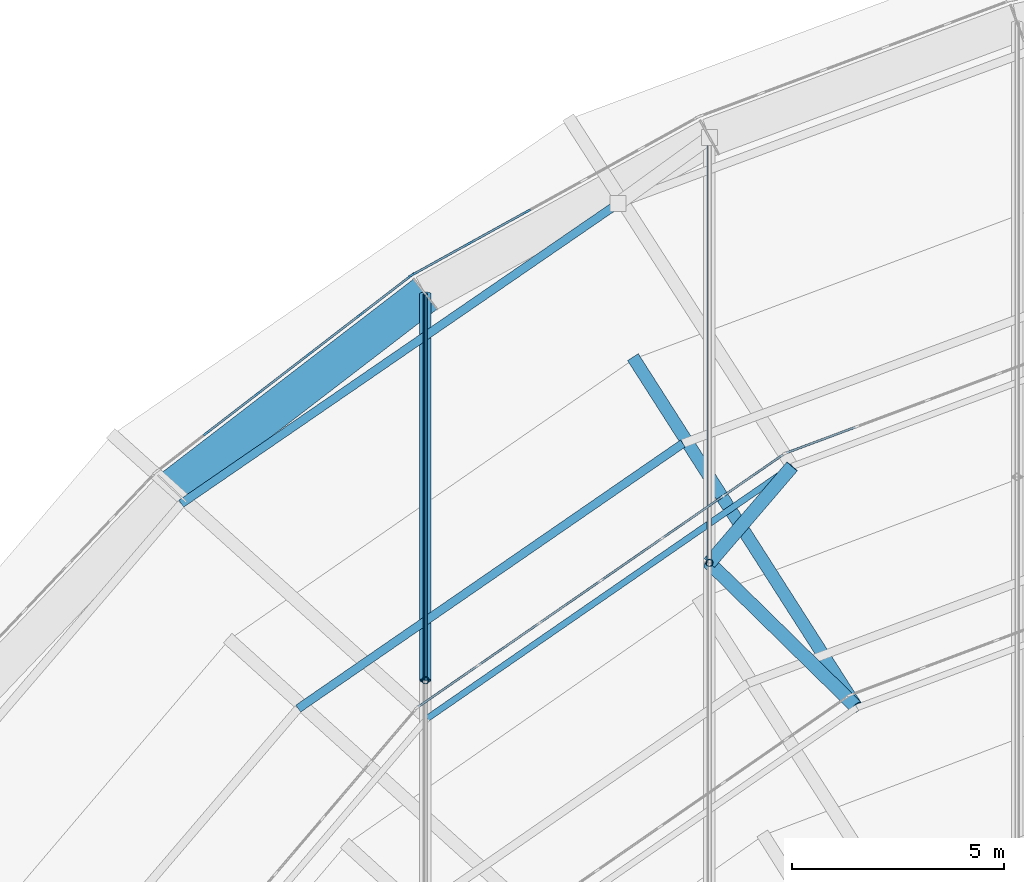
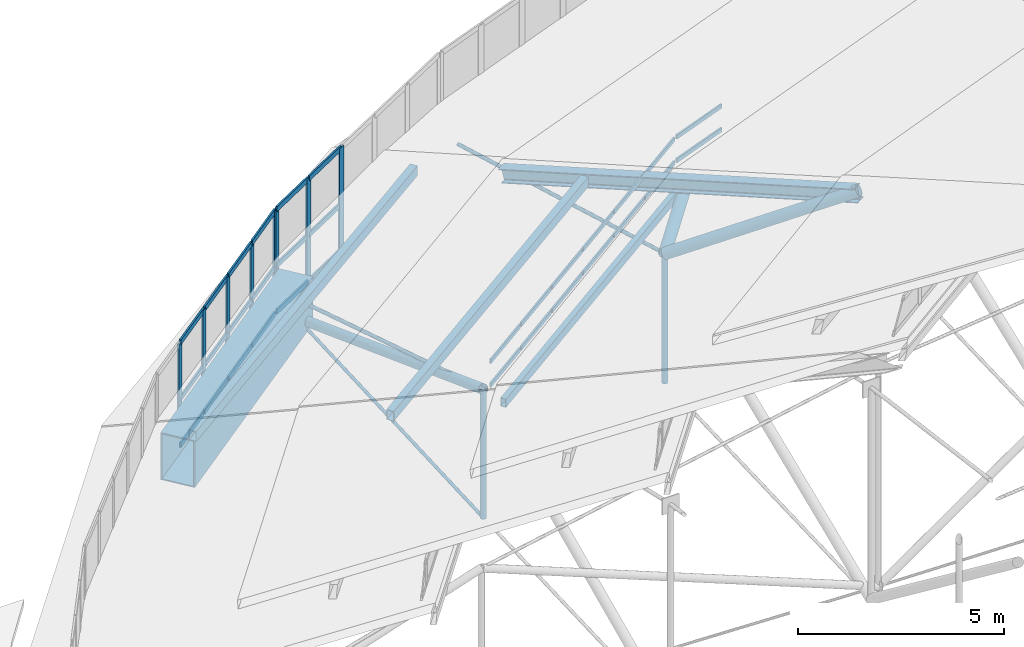
# One storey, part 105 of 173: 52 members, 1 beam, 4 elements without a shape of their own.
"""IFC4 building model written with IfcOpenShell, lengths in metres."""

from ifc_helpers import new_model, si_unit, direction, frame, origin, origin_2d, place, context, subcontext, project, spatial, rectangle, hollow_rectangle, circle, hollow_circle, i_section, extrude, material, material_profile, profile_set, type_object, element, aggregate, save


model = new_model("IFC4")

# Units and contexts
model_context = context("Model", 3, precision=1e-05, world=origin(), true_north=direction((0.0, 1.0)))
body_context = subcontext(model_context, "Body", "Model", "MODEL_VIEW")
ifc_project = project(units=[si_unit("LENGTHUNIT", "METRE"), si_unit("AREAUNIT", "SQUARE_METRE"), si_unit("VOLUMEUNIT", "CUBIC_METRE"), si_unit("PLANEANGLEUNIT", "RADIAN"), si_unit("MASSUNIT", "GRAM", prefix="KILO")], contexts=[model_context])

# Site, building, storey
site_placement = place(None, origin())
site = spatial("IfcSite", under=ifc_project, at=site_placement, CompositionType="ELEMENT")
building_placement = place(site_placement, origin())
building = spatial("IfcBuilding", under=site, at=building_placement, Name="Glasvene Arena", CompositionType="ELEMENT")
storey_placement = place(building_placement, frame((0.0, 0.0, 28.800048828125)))
storey = spatial("IfcBuildingStorey", under=building, at=storey_placement, Name="RF", CompositionType="ELEMENT", Elevation=28.800048828125)

# Beam
ifc_material_1 = material(Name="Steel S355J2", Category="steel")
ifc_material_profile_1 = material_profile(ifc_material_1, hollow_rectangle(XDim=0.89990234375, YDim=1.39990234375, WallThickness=0.034912109375, at=origin_2d()), Name="WBOX 900x1400x35")
ifc_profile_set_1 = profile_set([ifc_material_profile_1], Name="Steel S355J2")
beam_type = type_object("IfcBeamType", Name="BM-RING-BOX1400", PredefinedType="USERDEFINED", material=ifc_profile_set_1)
beam_placement = place(storey_placement, frame((62.610595703125, 109.40576171875, -0.699951171875), z_axis=(-0.792826575958, -0.609447307366, 0.0), x_axis=(0.609447307366, -0.792826575958, 0.0)))
element("IfcBeam", 1, at=beam_placement, inside=storey, type_object=beam_type, Name="Compression ring beam chord RB-15", ObjectType="RING BEAM", PredefinedType="USERDEFINED", context=body_context, shape_type="SweptSolid", body=[
    extrude(hollow_rectangle(XDim=0.89990234375, YDim=1.39990234375, WallThickness=0.034912109375, at=origin_2d()), origin(), (0.0, 0.0, 1.0), 7.524658203125),
])

# Curtain wall, members
ifc_material_2 = material(Name="Low-emissivity laminated double glazing", Category="glass")
curtain_wall_type_1 = type_object("IfcCurtainWallType", Name="CW-DRUM-773x310", PredefinedType="USERDEFINED", material=ifc_material_2)
curtain_wall_1_placement = place(storey_placement, frame((69.05078125, 113.585205078125, 0.0)))
curtain_wall_1 = element("IfcCurtainWall", 2, at=curtain_wall_1_placement, inside=storey, type_object=curtain_wall_type_1, Name="Crown compression-ring fascia curtain wall 14", ObjectType="CURTAIN WALL", PredefinedType="USERDEFINED")
ifc_material_3 = material(Name="Anodised architectural aluminium", Category="aluminium")
ifc_material_profile_2 = material_profile(ifc_material_3, rectangle(XDim=0.050048828125, YDim=0.199951171875, at=origin_2d()), Name="ALU MULLION 50x200")
ifc_profile_set_2 = profile_set([ifc_material_profile_2], Name="Anodised architectural aluminium")
member_type_1 = type_object("IfcMemberType", Name="CW-MUL-180", PredefinedType="MULLION", material=ifc_profile_set_2)
member_1_placement = place(storey_placement, frame((64.992919921875, 111.344482421875, -1.380126953125), z_axis=(0.0, 0.0, 1.0), x_axis=(0.483387319086, -0.875406591103, 0.0)))
member_1 = element("IfcMember", 3, at=member_1_placement, type_object=member_type_1, Name="CW-077 mullion 4", PredefinedType="MULLION", context=body_context, shape_type="SweptSolid", body=[
    extrude(rectangle(XDim=0.050048828125, YDim=0.199951171875, at=origin_2d()), origin(), (0.0, 0.0, 1.0), 3.10009765625),
])
member_2_placement = place(storey_placement, frame((63.64013671875, 110.59765625, -1.380126953125), z_axis=(0.0, 0.0, 1.0), x_axis=(0.483387319086, -0.875406591103, 0.0)))
member_2 = element("IfcMember", 4, at=member_2_placement, type_object=member_type_1, Name="CW-077 mullion 5", PredefinedType="MULLION", context=body_context, shape_type="SweptSolid", body=[
    extrude(rectangle(XDim=0.050048828125, YDim=0.199951171875, at=origin_2d()), origin(), (0.0, 0.0, 1.0), 3.10009765625),
])
member_3_placement = place(storey_placement, frame((62.309326171875, 109.86279296875, -1.380126953125), z_axis=(0.0, 0.0, 1.0), x_axis=(0.483387319086, -0.875406591103, 0.0)))
member_3 = element("IfcMember", 5, at=member_3_placement, type_object=member_type_1, Name="CW-077 mullion 6", PredefinedType="MULLION", context=body_context, shape_type="SweptSolid", body=[
    extrude(rectangle(XDim=0.050048828125, YDim=0.199951171875, at=origin_2d()), origin(), (0.0, 0.0, 1.0), 3.10009765625),
])

curtain_wall_type_2 = type_object("IfcCurtainWallType", Name="CW-DRUM-761x310", PredefinedType="USERDEFINED", material=ifc_material_2)
curtain_wall_2_placement = place(storey_placement, frame((62.28759765625, 109.8505859375, 0.0)))
curtain_wall_2 = element("IfcCurtainWall", 6, at=curtain_wall_2_placement, inside=storey, type_object=curtain_wall_type_2, Name="Crown compression-ring fascia curtain wall 15", ObjectType="CURTAIN WALL", PredefinedType="USERDEFINED")
member_4_placement = place(storey_placement, frame((62.267578125, 109.83544921875, -1.380126953125), z_axis=(0.0, 0.0, 1.0), x_axis=(0.609894880488, -0.792482324569, 0.0)))
member_4 = element("IfcMember", 7, at=member_4_placement, type_object=member_type_1, Name="CW-076 mullion 1", PredefinedType="MULLION", context=body_context, shape_type="SweptSolid", body=[
    extrude(rectangle(XDim=0.050048828125, YDim=0.199951171875, at=origin_2d()), origin(), (0.0, 0.0, 1.0), 3.10009765625),
])
member_5_placement = place(storey_placement, frame((61.0810546875, 108.92236328125, -1.380126953125), z_axis=(0.0, 0.0, 1.0), x_axis=(0.609894880488, -0.792482324569, 0.0)))
member_5 = element("IfcMember", 8, at=member_5_placement, type_object=member_type_1, Name="CW-076 mullion 2", PredefinedType="MULLION", context=body_context, shape_type="SweptSolid", body=[
    extrude(rectangle(XDim=0.050048828125, YDim=0.199951171875, at=origin_2d()), origin(), (0.0, 0.0, 1.0), 3.10009765625),
])
member_6_placement = place(storey_placement, frame((59.874755859375, 107.993896484375, -1.380126953125), z_axis=(0.0, 0.0, 1.0), x_axis=(0.609894880488, -0.792482324569, 0.0)))
member_6 = element("IfcMember", 9, at=member_6_placement, type_object=member_type_1, Name="CW-076 mullion 3", PredefinedType="MULLION", context=body_context, shape_type="SweptSolid", body=[
    extrude(rectangle(XDim=0.050048828125, YDim=0.199951171875, at=origin_2d()), origin(), (0.0, 0.0, 1.0), 3.10009765625),
])
member_7_placement = place(storey_placement, frame((58.66845703125, 107.0654296875, -1.380126953125), z_axis=(0.0, 0.0, 1.0), x_axis=(0.609894880488, -0.792482324569, 0.0)))
member_7 = element("IfcMember", 10, at=member_7_placement, type_object=member_type_1, Name="CW-076 mullion 4", PredefinedType="MULLION", context=body_context, shape_type="SweptSolid", body=[
    extrude(rectangle(XDim=0.050048828125, YDim=0.199951171875, at=origin_2d()), origin(), (0.0, 0.0, 1.0), 3.10009765625),
])
member_8_placement = place(storey_placement, frame((57.462158203125, 106.13720703125, -1.380126953125), z_axis=(0.0, 0.0, 1.0), x_axis=(0.609894880488, -0.792482324569, 0.0)))
member_8 = element("IfcMember", 11, at=member_8_placement, type_object=member_type_1, Name="CW-076 mullion 5", PredefinedType="MULLION", context=body_context, shape_type="SweptSolid", body=[
    extrude(rectangle(XDim=0.050048828125, YDim=0.199951171875, at=origin_2d()), origin(), (0.0, 0.0, 1.0), 3.10009765625),
])

curtain_wall_type_3 = type_object("IfcCurtainWallType", Name="CW-PET1-1077x75", PredefinedType="USERDEFINED", material=ifc_material_2)
curtain_wall_3_placement = place(storey_placement, frame((81.16845703125, 109.415283203125, 0.0)))
curtain_wall_3 = element("IfcCurtainWall", 12, at=curtain_wall_3_placement, inside=storey, type_object=curtain_wall_type_3, Name="Petal ring 1-2 clerestory curtain wall 08", ObjectType="CURTAIN WALL", PredefinedType="USERDEFINED")
ifc_material_profile_3 = material_profile(ifc_material_3, rectangle(XDim=0.050048828125, YDim=0.1201171875, at=origin_2d()), Name="ALU TRANSOM 50x120")
ifc_profile_set_3 = profile_set([ifc_material_profile_3], Name="Anodised architectural aluminium")
member_type_2 = type_object("IfcMemberType", Name="CW-TRN-120", PredefinedType="USERDEFINED", material=ifc_profile_set_3)
member_9_placement = place(storey_placement, frame((72.73388671875, 106.26806640625, 2.60498046875), z_axis=(-0.936940045398, -0.349490130519, 0.0), x_axis=(0.349490130519, -0.936940045398, 0.0)))
member_9 = element("IfcMember", 13, at=member_9_placement, type_object=member_type_2, Name="CW-085 transom 6.1", ObjectType="TRANSOM", PredefinedType="USERDEFINED", context=body_context, shape_type="SweptSolid", body=[
    extrude(rectangle(XDim=0.050048828125, YDim=0.1201171875, at=origin_2d()), origin(), (0.0, 0.0, 1.0), 1.720458984375),
])
member_10_placement = place(storey_placement, frame((72.73388671875, 106.26806640625, 3.304931640625), z_axis=(-0.936940045398, -0.349490130519, 0.0), x_axis=(0.349490130519, -0.936940045398, 0.0)))
member_10 = element("IfcMember", 14, at=member_10_placement, type_object=member_type_2, Name="CW-085 transom 6.2", ObjectType="TRANSOM", PredefinedType="USERDEFINED", context=body_context, shape_type="SweptSolid", body=[
    extrude(rectangle(XDim=0.050048828125, YDim=0.1201171875, at=origin_2d()), origin(), (0.0, 0.0, 1.0), 1.720458984375),
])
aggregate(curtain_wall_3, [member_9, member_10])

curtain_wall_type_4 = type_object("IfcCurtainWallType", Name="CW-PET1-1054x75", PredefinedType="USERDEFINED", material=ifc_material_2)
curtain_wall_4_placement = place(storey_placement, frame((71.074951171875, 105.649169921875, 0.0)))
curtain_wall_4 = element("IfcCurtainWall", 15, at=curtain_wall_4_placement, inside=storey, type_object=curtain_wall_type_4, Name="Petal ring 1-2 clerestory curtain wall 09", ObjectType="CURTAIN WALL", PredefinedType="USERDEFINED")
member_11_placement = place(storey_placement, frame((71.033935546875, 105.620849609375, 2.60498046875), z_axis=(-0.822594498335, -0.568628429917, 0.0), x_axis=(0.568628429917, -0.822594498335, 0.0)))
member_11 = element("IfcMember", 16, at=member_11_placement, type_object=member_type_2, Name="CW-084 transom 1.1", ObjectType="TRANSOM", PredefinedType="USERDEFINED", context=body_context, shape_type="SweptSolid", body=[
    extrude(rectangle(XDim=0.050048828125, YDim=0.1201171875, at=origin_2d()), origin(), (0.0, 0.0, 1.0), 1.681396484375),
])
member_12_placement = place(storey_placement, frame((71.033935546875, 105.620849609375, 3.304931640625), z_axis=(-0.822594498335, -0.568628429917, 0.0), x_axis=(0.568628429917, -0.822594498335, 0.0)))
member_12 = element("IfcMember", 17, at=member_12_placement, type_object=member_type_2, Name="CW-084 transom 1.2", ObjectType="TRANSOM", PredefinedType="USERDEFINED", context=body_context, shape_type="SweptSolid", body=[
    extrude(rectangle(XDim=0.050048828125, YDim=0.1201171875, at=origin_2d()), origin(), (0.0, 0.0, 1.0), 1.681396484375),
])
member_13_placement = place(storey_placement, frame((69.60986328125, 104.636474609375, 2.60498046875), z_axis=(-0.82255264471, -0.56868897183, 0.0), x_axis=(0.56868897183, -0.82255264471, 0.0)))
member_13 = element("IfcMember", 18, at=member_13_placement, type_object=member_type_2, Name="CW-084 transom 2.1", ObjectType="TRANSOM", PredefinedType="USERDEFINED", context=body_context, shape_type="SweptSolid", body=[
    extrude(rectangle(XDim=0.050048828125, YDim=0.1201171875, at=origin_2d()), origin(), (0.0, 0.0, 1.0), 1.7060546875),
])
member_14_placement = place(storey_placement, frame((69.60986328125, 104.636474609375, 3.304931640625), z_axis=(-0.82255264471, -0.56868897183, 0.0), x_axis=(0.56868897183, -0.82255264471, 0.0)))
member_14 = element("IfcMember", 19, at=member_14_placement, type_object=member_type_2, Name="CW-084 transom 2.2", ObjectType="TRANSOM", PredefinedType="USERDEFINED", context=body_context, shape_type="SweptSolid", body=[
    extrude(rectangle(XDim=0.050048828125, YDim=0.1201171875, at=origin_2d()), origin(), (0.0, 0.0, 1.0), 1.7060546875),
])
member_15_placement = place(storey_placement, frame((68.165283203125, 103.637939453125, 2.60498046875), z_axis=(-0.82255264471, -0.56868897183, 0.0), x_axis=(0.56868897183, -0.82255264471, 0.0)))
member_15 = element("IfcMember", 20, at=member_15_placement, type_object=member_type_2, Name="CW-084 transom 3.1", ObjectType="TRANSOM", PredefinedType="USERDEFINED", context=body_context, shape_type="SweptSolid", body=[
    extrude(rectangle(XDim=0.050048828125, YDim=0.1201171875, at=origin_2d()), origin(), (0.0, 0.0, 1.0), 1.7060546875),
])
member_16_placement = place(storey_placement, frame((68.165283203125, 103.637939453125, 3.304931640625), z_axis=(-0.82255264471, -0.56868897183, 0.0), x_axis=(0.56868897183, -0.82255264471, 0.0)))
member_16 = element("IfcMember", 21, at=member_16_placement, type_object=member_type_2, Name="CW-084 transom 3.2", ObjectType="TRANSOM", PredefinedType="USERDEFINED", context=body_context, shape_type="SweptSolid", body=[
    extrude(rectangle(XDim=0.050048828125, YDim=0.1201171875, at=origin_2d()), origin(), (0.0, 0.0, 1.0), 1.7060546875),
])
member_17_placement = place(storey_placement, frame((66.720703125, 102.639404296875, 2.60498046875), z_axis=(-0.82255264471, -0.56868897183, 0.0), x_axis=(0.56868897183, -0.82255264471, 0.0)))
member_17 = element("IfcMember", 22, at=member_17_placement, type_object=member_type_2, Name="CW-084 transom 4.1", ObjectType="TRANSOM", PredefinedType="USERDEFINED", context=body_context, shape_type="SweptSolid", body=[
    extrude(rectangle(XDim=0.050048828125, YDim=0.1201171875, at=origin_2d()), origin(), (0.0, 0.0, 1.0), 1.7060546875),
])
member_18_placement = place(storey_placement, frame((66.720703125, 102.639404296875, 3.304931640625), z_axis=(-0.82255264471, -0.56868897183, 0.0), x_axis=(0.56868897183, -0.82255264471, 0.0)))
member_18 = element("IfcMember", 23, at=member_18_placement, type_object=member_type_2, Name="CW-084 transom 4.2", ObjectType="TRANSOM", PredefinedType="USERDEFINED", context=body_context, shape_type="SweptSolid", body=[
    extrude(rectangle(XDim=0.050048828125, YDim=0.1201171875, at=origin_2d()), origin(), (0.0, 0.0, 1.0), 1.7060546875),
])
member_19_placement = place(storey_placement, frame((65.276123046875, 101.640869140625, 2.60498046875), z_axis=(-0.82255264471, -0.56868897183, 0.0), x_axis=(0.56868897183, -0.82255264471, 0.0)))
member_19 = element("IfcMember", 24, at=member_19_placement, type_object=member_type_2, Name="CW-084 transom 5.1", ObjectType="TRANSOM", PredefinedType="USERDEFINED", context=body_context, shape_type="SweptSolid", body=[
    extrude(rectangle(XDim=0.050048828125, YDim=0.1201171875, at=origin_2d()), origin(), (0.0, 0.0, 1.0), 1.7060546875),
])
member_20_placement = place(storey_placement, frame((65.276123046875, 101.640869140625, 3.304931640625), z_axis=(-0.82255264471, -0.56868897183, 0.0), x_axis=(0.56868897183, -0.82255264471, 0.0)))
member_20 = element("IfcMember", 25, at=member_20_placement, type_object=member_type_2, Name="CW-084 transom 5.2", ObjectType="TRANSOM", PredefinedType="USERDEFINED", context=body_context, shape_type="SweptSolid", body=[
    extrude(rectangle(XDim=0.050048828125, YDim=0.1201171875, at=origin_2d()), origin(), (0.0, 0.0, 1.0), 1.7060546875),
])
member_21_placement = place(storey_placement, frame((63.83154296875, 100.642333984375, 2.60498046875), z_axis=(-0.822547539118, -0.568696356495, 0.0), x_axis=(0.568696356495, -0.822547539118, 0.0)))
member_21 = element("IfcMember", 26, at=member_21_placement, type_object=member_type_2, Name="CW-084 transom 6.1", ObjectType="TRANSOM", PredefinedType="USERDEFINED", context=body_context, shape_type="SweptSolid", body=[
    extrude(rectangle(XDim=0.050048828125, YDim=0.1201171875, at=origin_2d()), origin(), (0.0, 0.0, 1.0), 1.68115234375),
])
member_22_placement = place(storey_placement, frame((63.83154296875, 100.642333984375, 3.304931640625), z_axis=(-0.822547539118, -0.568696356495, 0.0), x_axis=(0.568696356495, -0.822547539118, 0.0)))
member_22 = element("IfcMember", 27, at=member_22_placement, type_object=member_type_2, Name="CW-084 transom 6.2", ObjectType="TRANSOM", PredefinedType="USERDEFINED", context=body_context, shape_type="SweptSolid", body=[
    extrude(rectangle(XDim=0.050048828125, YDim=0.1201171875, at=origin_2d()), origin(), (0.0, 0.0, 1.0), 1.68115234375),
])
aggregate(curtain_wall_4, [member_11, member_12, member_13, member_14, member_15, member_16, member_17, member_18, member_19, member_20, member_21, member_22])

# Member
ifc_material_profile_4 = material_profile(ifc_material_3, rectangle(XDim=0.050048828125, YDim=0.14990234375, at=origin_2d()), Name="ALU TRANSOM 50x150")
ifc_profile_set_4 = profile_set([ifc_material_profile_4], Name="Anodised architectural aluminium")
member_type_3 = type_object("IfcMemberType", Name="CW-TRN-150", PredefinedType="USERDEFINED", material=ifc_profile_set_4)
member_23_placement = place(storey_placement, frame((64.970947265625, 111.33251953125, -1.35498046875), z_axis=(-0.87535611162, -0.483478725332, 0.0), x_axis=(0.483478725332, -0.87535611162, 0.0)))
member_23 = element("IfcMember", 28, at=member_23_placement, type_object=member_type_3, Name="CW-077 transom 4.1", ObjectType="TRANSOM", PredefinedType="USERDEFINED", context=body_context, shape_type="SweptSolid", body=[
    extrude(rectangle(XDim=0.050048828125, YDim=0.14990234375, at=origin_2d()), origin(), (0.0, 0.0, 1.0), 1.4951171875),
])

member_24_placement = place(storey_placement, frame((64.970947265625, 111.33251953125, 0.02001953125), z_axis=(-0.87535611162, -0.483478725332, 0.0), x_axis=(0.483478725332, -0.87535611162, 0.0)))
member_24 = element("IfcMember", 29, at=member_24_placement, type_object=member_type_3, Name="CW-077 transom 4.2", ObjectType="TRANSOM", PredefinedType="USERDEFINED", context=body_context, shape_type="SweptSolid", body=[
    extrude(rectangle(XDim=0.050048828125, YDim=0.14990234375, at=origin_2d()), origin(), (0.0, 0.0, 1.0), 1.4951171875),
])

member_25_placement = place(storey_placement, frame((64.970947265625, 111.33251953125, 1.695068359375), z_axis=(-0.87535611162, -0.483478725332, 0.0), x_axis=(0.483478725332, -0.87535611162, 0.0)))
member_25 = element("IfcMember", 30, at=member_25_placement, type_object=member_type_3, Name="CW-077 transom 4.3", ObjectType="TRANSOM", PredefinedType="USERDEFINED", context=body_context, shape_type="SweptSolid", body=[
    extrude(rectangle(XDim=0.050048828125, YDim=0.14990234375, at=origin_2d()), origin(), (0.0, 0.0, 1.0), 1.4951171875),
])

member_26_placement = place(storey_placement, frame((63.6181640625, 110.58544921875, -1.35498046875), z_axis=(-0.875376563169, -0.483441695197, 0.0), x_axis=(0.483441695197, -0.875376563169, 0.0)))
member_26 = element("IfcMember", 31, at=member_26_placement, type_object=member_type_3, Name="CW-077 transom 5.1", ObjectType="TRANSOM", PredefinedType="USERDEFINED", context=body_context, shape_type="SweptSolid", body=[
    extrude(rectangle(XDim=0.050048828125, YDim=0.14990234375, at=origin_2d()), origin(), (0.0, 0.0, 1.0), 1.469970703125),
])

member_27_placement = place(storey_placement, frame((63.6181640625, 110.58544921875, 0.02001953125), z_axis=(-0.875376563169, -0.483441695197, 0.0), x_axis=(0.483441695197, -0.875376563169, 0.0)))
member_27 = element("IfcMember", 32, at=member_27_placement, type_object=member_type_3, Name="CW-077 transom 5.2", ObjectType="TRANSOM", PredefinedType="USERDEFINED", context=body_context, shape_type="SweptSolid", body=[
    extrude(rectangle(XDim=0.050048828125, YDim=0.14990234375, at=origin_2d()), origin(), (0.0, 0.0, 1.0), 1.469970703125),
])

member_28_placement = place(storey_placement, frame((63.6181640625, 110.58544921875, 1.695068359375), z_axis=(-0.875376563169, -0.483441695197, 0.0), x_axis=(0.483441695197, -0.875376563169, 0.0)))
member_28 = element("IfcMember", 33, at=member_28_placement, type_object=member_type_3, Name="CW-077 transom 5.3", ObjectType="TRANSOM", PredefinedType="USERDEFINED", context=body_context, shape_type="SweptSolid", body=[
    extrude(rectangle(XDim=0.050048828125, YDim=0.14990234375, at=origin_2d()), origin(), (0.0, 0.0, 1.0), 1.469970703125),
])

aggregate(curtain_wall_1, [member_1, member_2, member_3, member_23, member_24, member_25, member_26, member_27, member_28])

member_29_placement = place(storey_placement, frame((62.247802734375, 109.8203125, -1.35498046875), z_axis=(-0.792385615775, -0.610020520895, 0.0), x_axis=(0.610020520895, -0.792385615775, 0.0)))
member_29 = element("IfcMember", 34, at=member_29_placement, type_object=member_type_3, Name="CW-076 transom 1.1", ObjectType="TRANSOM", PredefinedType="USERDEFINED", context=body_context, shape_type="SweptSolid", body=[
    extrude(rectangle(XDim=0.050048828125, YDim=0.14990234375, at=origin_2d()), origin(), (0.0, 0.0, 1.0), 1.447265625),
])

member_30_placement = place(storey_placement, frame((62.247802734375, 109.8203125, 0.02001953125), z_axis=(-0.792385615775, -0.610020520895, 0.0), x_axis=(0.610020520895, -0.792385615775, 0.0)))
member_30 = element("IfcMember", 35, at=member_30_placement, type_object=member_type_3, Name="CW-076 transom 1.2", ObjectType="TRANSOM", PredefinedType="USERDEFINED", context=body_context, shape_type="SweptSolid", body=[
    extrude(rectangle(XDim=0.050048828125, YDim=0.14990234375, at=origin_2d()), origin(), (0.0, 0.0, 1.0), 1.447265625),
])

member_31_placement = place(storey_placement, frame((62.247802734375, 109.8203125, 1.695068359375), z_axis=(-0.792385615775, -0.610020520895, 0.0), x_axis=(0.610020520895, -0.792385615775, 0.0)))
member_31 = element("IfcMember", 36, at=member_31_placement, type_object=member_type_3, Name="CW-076 transom 1.3", ObjectType="TRANSOM", PredefinedType="USERDEFINED", context=body_context, shape_type="SweptSolid", body=[
    extrude(rectangle(XDim=0.050048828125, YDim=0.14990234375, at=origin_2d()), origin(), (0.0, 0.0, 1.0), 1.447265625),
])

member_32_placement = place(storey_placement, frame((61.061279296875, 108.906982421875, -1.35498046875), z_axis=(-0.792476018124, -0.60990307484, 0.0), x_axis=(0.60990307484, -0.792476018124, 0.0)))
member_32 = element("IfcMember", 37, at=member_32_placement, type_object=member_type_3, Name="CW-076 transom 2.1", ObjectType="TRANSOM", PredefinedType="USERDEFINED", context=body_context, shape_type="SweptSolid", body=[
    extrude(rectangle(XDim=0.050048828125, YDim=0.14990234375, at=origin_2d()), origin(), (0.0, 0.0, 1.0), 1.47216796875),
])

member_33_placement = place(storey_placement, frame((61.061279296875, 108.906982421875, 0.02001953125), z_axis=(-0.792476018124, -0.60990307484, 0.0), x_axis=(0.60990307484, -0.792476018124, 0.0)))
member_33 = element("IfcMember", 38, at=member_33_placement, type_object=member_type_3, Name="CW-076 transom 2.2", ObjectType="TRANSOM", PredefinedType="USERDEFINED", context=body_context, shape_type="SweptSolid", body=[
    extrude(rectangle(XDim=0.050048828125, YDim=0.14990234375, at=origin_2d()), origin(), (0.0, 0.0, 1.0), 1.47216796875),
])

member_34_placement = place(storey_placement, frame((61.061279296875, 108.906982421875, 1.695068359375), z_axis=(-0.792476018124, -0.60990307484, 0.0), x_axis=(0.60990307484, -0.792476018124, 0.0)))
member_34 = element("IfcMember", 39, at=member_34_placement, type_object=member_type_3, Name="CW-076 transom 2.3", ObjectType="TRANSOM", PredefinedType="USERDEFINED", context=body_context, shape_type="SweptSolid", body=[
    extrude(rectangle(XDim=0.050048828125, YDim=0.14990234375, at=origin_2d()), origin(), (0.0, 0.0, 1.0), 1.47216796875),
])

member_35_placement = place(storey_placement, frame((59.85498046875, 107.978759765625, -1.35498046875), z_axis=(-0.792476018124, -0.60990307484, 0.0), x_axis=(0.60990307484, -0.792476018124, 0.0)))
member_35 = element("IfcMember", 40, at=member_35_placement, type_object=member_type_3, Name="CW-076 transom 3.1", ObjectType="TRANSOM", PredefinedType="USERDEFINED", context=body_context, shape_type="SweptSolid", body=[
    extrude(rectangle(XDim=0.050048828125, YDim=0.14990234375, at=origin_2d()), origin(), (0.0, 0.0, 1.0), 1.47216796875),
])

member_36_placement = place(storey_placement, frame((59.85498046875, 107.978759765625, 0.02001953125), z_axis=(-0.792476018124, -0.60990307484, 0.0), x_axis=(0.60990307484, -0.792476018124, 0.0)))
member_36 = element("IfcMember", 41, at=member_36_placement, type_object=member_type_3, Name="CW-076 transom 3.2", ObjectType="TRANSOM", PredefinedType="USERDEFINED", context=body_context, shape_type="SweptSolid", body=[
    extrude(rectangle(XDim=0.050048828125, YDim=0.14990234375, at=origin_2d()), origin(), (0.0, 0.0, 1.0), 1.47216796875),
])

member_37_placement = place(storey_placement, frame((59.85498046875, 107.978759765625, 1.695068359375), z_axis=(-0.792476018124, -0.60990307484, 0.0), x_axis=(0.60990307484, -0.792476018124, 0.0)))
member_37 = element("IfcMember", 42, at=member_37_placement, type_object=member_type_3, Name="CW-076 transom 3.3", ObjectType="TRANSOM", PredefinedType="USERDEFINED", context=body_context, shape_type="SweptSolid", body=[
    extrude(rectangle(XDim=0.050048828125, YDim=0.14990234375, at=origin_2d()), origin(), (0.0, 0.0, 1.0), 1.47216796875),
])

member_38_placement = place(storey_placement, frame((58.648681640625, 107.05029296875, -1.35498046875), z_axis=(-0.792476018124, -0.60990307484, 0.0), x_axis=(0.60990307484, -0.792476018124, 0.0)))
member_38 = element("IfcMember", 43, at=member_38_placement, type_object=member_type_3, Name="CW-076 transom 4.1", ObjectType="TRANSOM", PredefinedType="USERDEFINED", context=body_context, shape_type="SweptSolid", body=[
    extrude(rectangle(XDim=0.050048828125, YDim=0.14990234375, at=origin_2d()), origin(), (0.0, 0.0, 1.0), 1.47216796875),
])

member_39_placement = place(storey_placement, frame((58.648681640625, 107.05029296875, 0.02001953125), z_axis=(-0.792476018124, -0.60990307484, 0.0), x_axis=(0.60990307484, -0.792476018124, 0.0)))
member_39 = element("IfcMember", 44, at=member_39_placement, type_object=member_type_3, Name="CW-076 transom 4.2", ObjectType="TRANSOM", PredefinedType="USERDEFINED", context=body_context, shape_type="SweptSolid", body=[
    extrude(rectangle(XDim=0.050048828125, YDim=0.14990234375, at=origin_2d()), origin(), (0.0, 0.0, 1.0), 1.47216796875),
])

member_40_placement = place(storey_placement, frame((58.648681640625, 107.05029296875, 1.695068359375), z_axis=(-0.792476018124, -0.60990307484, 0.0), x_axis=(0.60990307484, -0.792476018124, 0.0)))
member_40 = element("IfcMember", 45, at=member_40_placement, type_object=member_type_3, Name="CW-076 transom 4.3", ObjectType="TRANSOM", PredefinedType="USERDEFINED", context=body_context, shape_type="SweptSolid", body=[
    extrude(rectangle(XDim=0.050048828125, YDim=0.14990234375, at=origin_2d()), origin(), (0.0, 0.0, 1.0), 1.47216796875),
])

aggregate(curtain_wall_2, [member_4, member_5, member_6, member_7, member_8, member_29, member_30, member_31, member_32, member_33, member_34, member_35, member_36, member_37, member_38, member_39, member_40])

# Members
ifc_material_4 = material(Name="High-strength steel spiral strand S460", Category="steel")
ifc_material_profile_5 = material_profile(ifc_material_4, circle(Radius=0.052490234375, at=origin_2d()), Name="LCSS D105")
ifc_profile_set_5 = profile_set([ifc_material_profile_5], Name="High-strength steel spiral strand S460")
member_type_4 = type_object("IfcMemberType", Name="MB-CABLE-105", PredefinedType="USERDEFINED", material=ifc_profile_set_5)
member_41_placement = place(storey_placement, frame((69.300537109375, 103.071533203125, 2.06103515625), z_axis=(0.0, 0.962101011084, -0.27269331578), x_axis=(-1.0, 0.0, 0.0)))
element("IfcMember", 46, at=member_41_placement, inside=storey, type_object=member_type_4, Name="Upper lens roof cable NS08-08", ObjectType="ROOF CABLE", PredefinedType="USERDEFINED", context=body_context, shape_type="SweptSolid", body=[
    extrude(circle(Radius=0.052490234375, at=origin_2d()), origin(), (0.0, 0.0, 1.0), 10.41845703125),
])
member_42_placement = place(storey_placement, frame((62.610595703125, 100.30419921875, 2.06103515625), z_axis=(0.0, 0.954574697711, -0.297971720957), x_axis=(-1.0, 0.0, 0.0)))
element("IfcMember", 47, at=member_42_placement, inside=storey, type_object=member_type_4, Name="Upper lens roof cable NS09-08", ObjectType="ROOF CABLE", PredefinedType="USERDEFINED", context=body_context, shape_type="SweptSolid", body=[
    extrude(circle(Radius=0.052490234375, at=origin_2d()), origin(), (0.0, 0.0, 1.0), 9.53466796875),
])
ifc_material_profile_6 = material_profile(ifc_material_4, circle(Radius=0.044921875, at=origin_2d()), Name="LCSS D90")
ifc_profile_set_6 = profile_set([ifc_material_profile_6], Name="High-strength steel spiral strand S460")
member_type_5 = type_object("IfcMemberType", Name="MB-CABLE-90", PredefinedType="USERDEFINED", material=ifc_profile_set_6)
member_43_placement = place(storey_placement, frame((62.610595703125, 100.30419921875, -1.753173828125), z_axis=(0.0, 0.998869713277, 0.04753205127), x_axis=(-1.0, 0.0, 0.0)))
element("IfcMember", 48, at=member_43_placement, inside=storey, type_object=member_type_5, Name="Lower stabilization roof cable NS09-08", ObjectType="ROOF CABLE", PredefinedType="USERDEFINED", context=body_context, shape_type="SweptSolid", body=[
    extrude(circle(Radius=0.044921875, at=origin_2d()), origin(), (0.0, 0.0, 1.0), 9.11181640625),
])
ifc_material_profile_7 = material_profile(ifc_material_1, i_section(OverallWidth=0.300048828125, OverallDepth=0.39990234375, WebThickness=0.013427734375, FlangeThickness=0.02392578125, FilletRadius=0.027099609375, at=origin_2d()), Name="HEB 400")
ifc_profile_set_7 = profile_set([ifc_material_profile_7], Name="Steel S355J2")
member_type_6 = type_object("IfcMemberType", Name="MB-CHORD-HEB400", PredefinedType="CHORD", material=ifc_profile_set_7)
member_44_placement = place(storey_placement, frame((67.52490234375, 107.876708984375, 2.14990234375), z_axis=(0.520991039955, -0.815187198725, 0.253057636362), x_axis=(0.842613245104, 0.538519191093, 0.0)))
element("IfcMember", 49, at=member_44_placement, inside=storey, type_object=member_type_6, Name="Petal ring 2 radial rib 09", PredefinedType="CHORD", context=body_context, shape_type="SweptSolid", body=[
    extrude(i_section(OverallWidth=0.300048828125, OverallDepth=0.39990234375, WebThickness=0.013427734375, FlangeThickness=0.02392578125, FilletRadius=0.027099609375, at=origin_2d()), origin(), (0.0, 0.0, 1.0), 10.076904296875),
])
ifc_material_profile_8 = material_profile(ifc_material_1, hollow_circle(Radius=0.161865234375, WallThickness=0.01611328125, at=origin_2d()), Name="CHS 323.9x16.0")
ifc_profile_set_8 = profile_set([ifc_material_profile_8], Name="Steel S355J2")
member_type_7 = type_object("IfcMemberType", Name="MB-POST-CHS324", PredefinedType="BRACE", material=ifc_profile_set_8)
member_45_placement = place(storey_placement, frame((69.300537109375, 103.071533203125, 2.06103515625), z_axis=(0.650215542627, 0.758679800959, 0.040307663569), x_axis=(-0.759296869451, 0.650744392247, 0.0)))
element("IfcMember", 50, at=member_45_placement, inside=storey, type_object=member_type_7, Name="Petal ring 1 ridge support post 09", PredefinedType="BRACE", context=body_context, shape_type="SweptSolid", body=[
    extrude(hollow_circle(Radius=0.161865234375, WallThickness=0.01611328125, at=origin_2d()), origin(), (0.0, 0.0, 1.0), 2.998291015625),
])
member_46_placement = place(storey_placement, frame((69.300537109375, 103.071533203125, 2.06103515625), z_axis=(0.623021001971, -0.611375749597, 0.487918562783), x_axis=(0.700404795301, 0.713745839021, 0.0)))
element("IfcMember", 51, at=member_46_placement, inside=storey, type_object=member_type_7, Name="Petal ring 2 ridge support post 09", PredefinedType="BRACE", context=body_context, shape_type="SweptSolid", body=[
    extrude(hollow_circle(Radius=0.161865234375, WallThickness=0.01611328125, at=origin_2d()), origin(), (0.0, 0.0, 1.0), 5.57666015625),
])
ifc_material_profile_9 = material_profile(ifc_material_1, hollow_rectangle(XDim=0.14990234375, YDim=0.25, WallThickness=0.010009765625, at=origin_2d()), Name="RHS 250x150x10.0")
ifc_profile_set_9 = profile_set([ifc_material_profile_9], Name="Steel S355J2")
member_type_8 = type_object("IfcMemberType", Name="MB-PURLIN-RHS250", PredefinedType="PURLIN", material=ifc_profile_set_9)
member_47_placement = place(storey_placement, frame((71.25, 105.34619140625, 2.181884765625), z_axis=(-0.822844597344, -0.568266459174, 0.0), x_axis=(0.568266459174, -0.822844597344, 0.0)))
element("IfcMember", 52, at=member_47_placement, inside=storey, type_object=member_type_8, Name="Petal ring 1 ridge purlin 09", PredefinedType="PURLIN", context=body_context, shape_type="SweptSolid", body=[
    extrude(hollow_rectangle(XDim=0.14990234375, YDim=0.25, WallThickness=0.010009765625, at=origin_2d()), origin(), (0.0, 0.0, 1.0), 10.445556640625),
])
ifc_material_profile_10 = material_profile(ifc_material_1, hollow_rectangle(XDim=0.199951171875, YDim=0.300048828125, WallThickness=0.012451171875, at=origin_2d()), Name="RHS 300x200x12.5")
ifc_profile_set_10 = profile_set([ifc_material_profile_10], Name="Steel S355J2")
member_type_9 = type_object("IfcMemberType", Name="MB-PURLIN-RHS300", PredefinedType="PURLIN", material=ifc_profile_set_10)
member_48_placement = place(storey_placement, frame((67.14990234375, 111.5380859375, 0.16748046875), z_axis=(-0.824221560776, -0.566267444545, 0.0), x_axis=(0.566267444545, -0.824221560776, 0.0)))
element("IfcMember", 53, at=member_48_placement, inside=storey, type_object=member_type_9, Name="Petal ring 1 outer purlin 09", PredefinedType="PURLIN", context=body_context, shape_type="SweptSolid", body=[
    extrude(hollow_rectangle(XDim=0.199951171875, YDim=0.300048828125, WallThickness=0.012451171875, at=origin_2d()), origin(), (0.0, 0.0, 1.0), 12.488525390625),
])
member_49_placement = place(storey_placement, frame((68.675048828125, 105.884765625, 2.728515625), z_axis=(-0.823366851498, -0.567509495828, 0.0), x_axis=(0.567509495828, -0.823366851498, 0.0)))
element("IfcMember", 54, at=member_49_placement, inside=storey, type_object=member_type_9, Name="Petal ring 2 outer purlin 09", PredefinedType="PURLIN", context=body_context, shape_type="SweptSolid", body=[
    extrude(hollow_rectangle(XDim=0.199951171875, YDim=0.300048828125, WallThickness=0.012451171875, at=origin_2d()), origin(), (0.0, 0.0, 1.0), 11.0048828125),
])
ifc_material_profile_11 = material_profile(ifc_material_1, hollow_circle(Radius=0.084228515625, WallThickness=0.008056640625, at=origin_2d()), Name="CHS 168.3x8.0")
ifc_profile_set_11 = profile_set([ifc_material_profile_11], Name="Steel S355J2")
member_type_10 = type_object("IfcMemberType", Name="MB-WEB-CHS168", PredefinedType="BRACE", material=ifc_profile_set_11)
for number, where, z_axis, x_axis, name in (
    (55, (69.300537109375, 103.071533203125, -1.753173828125), (0.0, 0.0, 1.0), (1.0, 0.0, 0.0), "Cable-truss vertical strut NS08-07"),
    (56, (62.610595703125, 100.30419921875, -1.753173828125), (0.0, 0.0, 1.0), (1.0, 0.0, 0.0), "Cable-truss vertical strut NS09-07"),
):
    element("IfcMember", number, at=place(storey_placement, frame(where, z_axis=z_axis, x_axis=x_axis)), inside=storey, type_object=member_type_10, Name=name, PredefinedType="BRACE", context=body_context, shape_type="SweptSolid", body=[
        extrude(hollow_circle(Radius=0.084228515625, WallThickness=0.008056640625, at=origin_2d()), origin(), (0.0, 0.0, 1.0), 3.814208984375),
    ])
ifc_material_profile_12 = material_profile(ifc_material_1, hollow_circle(Radius=0.136474609375, WallThickness=0.012451171875, at=origin_2d()), Name="CHS 273.0x12.5")
ifc_profile_set_12 = profile_set([ifc_material_profile_12], Name="Steel S355J2")
member_type_11 = type_object("IfcMemberType", Name="MB-WEB-CHS273", PredefinedType="BRACE", material=ifc_profile_set_12)
member_50_placement = place(storey_placement, frame((62.610595703125, 100.30419921875, 2.06103515625), z_axis=(0.0, 0.937407683705, -0.348233879067), x_axis=(-1.0, 0.0, 0.0)))
element("IfcMember", 57, at=member_50_placement, inside=storey, type_object=member_type_11, Name="Cable-truss diagonal web strut NS09-08", PredefinedType="BRACE", context=body_context, shape_type="SweptSolid", body=[
    extrude(hollow_circle(Radius=0.136474609375, WallThickness=0.012451171875, at=origin_2d()), origin(), (0.0, 0.0, 1.0), 9.709228515625),
])

save(model, "model.ifc")
